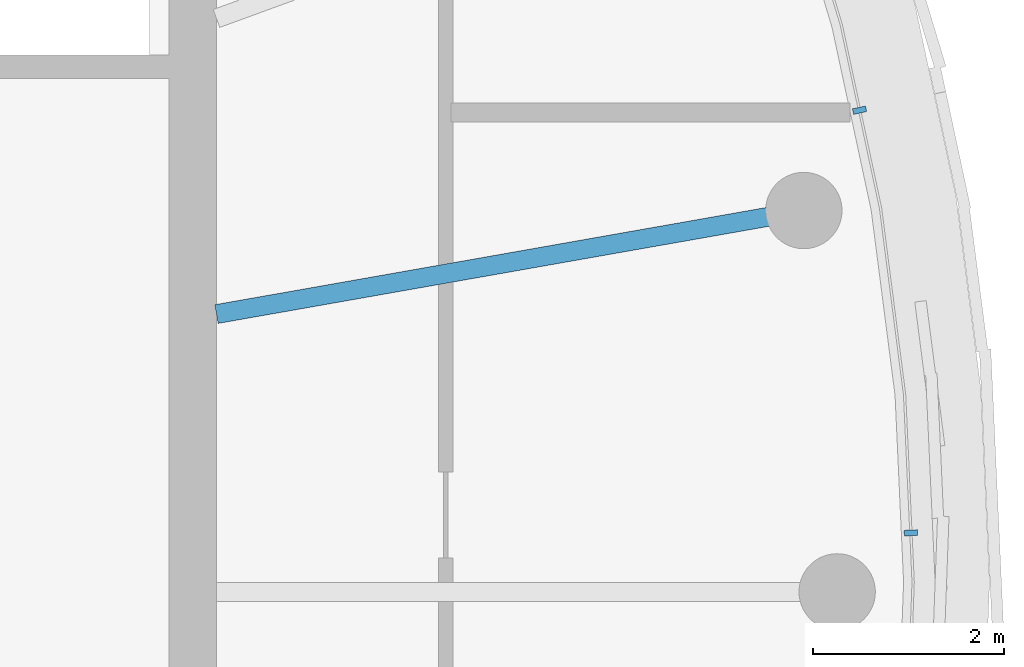
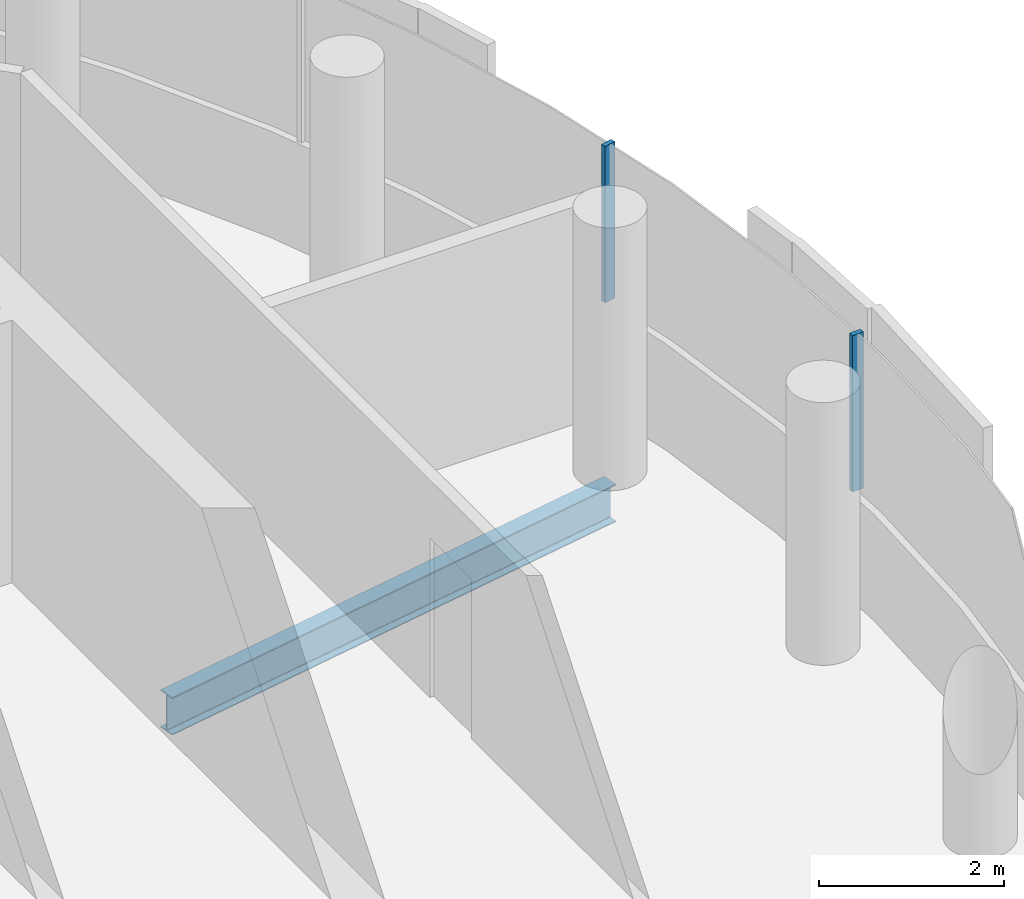
# One storey, part 8 of 21: 2 members, 1 beam, 1 element without a shape of its own.
"""IFC4 building model written with IfcOpenShell, lengths in metres."""

from ifc_helpers import new_model, si_unit, direction, frame, origin, origin_2d, place, context, subcontext, project, spatial, rectangle, i_section, extrude, material, layer, layer_set, material_profile, profile_set, type_object, element, aggregate, save


model = new_model("IFC4")

# Units and contexts
model_context = context("Model", 3, precision=1e-05, world=origin(), true_north=direction((0.0, 1.0)))
body_context = subcontext(model_context, "Body", "Model", "MODEL_VIEW")
ifc_project = project(units=[si_unit("LENGTHUNIT", "METRE"), si_unit("AREAUNIT", "SQUARE_METRE"), si_unit("VOLUMEUNIT", "CUBIC_METRE"), si_unit("PLANEANGLEUNIT", "RADIAN"), si_unit("MASSUNIT", "GRAM", prefix="KILO")], contexts=[model_context])

# Site, building, storey
site_placement = place(None, origin())
site = spatial("IfcSite", under=ifc_project, at=site_placement, CompositionType="ELEMENT")
building_placement = place(site_placement, origin())
building = spatial("IfcBuilding", under=site, at=building_placement, Name="Tamarind Cross Interchange Tower", CompositionType="ELEMENT")
storey_placement = place(building_placement, frame((0.0, 0.0, 260.39990234375)))
storey = spatial("IfcBuildingStorey", under=building, at=storey_placement, Name="L66", CompositionType="ELEMENT", Elevation=260.39990234375)

# Beam
ifc_material_1 = material(Name="Steel Q355B", Category="steel")
ifc_material_profile_1 = material_profile(ifc_material_1, i_section(OverallWidth=0.198974609375, OverallDepth=0.49609375, WebThickness=0.009033203125, FlangeThickness=0.013916015625, FilletRadius=0.012939453125, at=origin_2d()), Name="HN 496x199x9x14")
ifc_profile_set_1 = profile_set([ifc_material_profile_1], Name="Steel Q355B")
beam_type = type_object("IfcBeamType", Name="Composite beam HN 496x199x9x14 Q355B", PredefinedType="BEAM", material=ifc_profile_set_1)
beam_placement = place(storey_placement, frame((22.650634765625, 3.993896484375, -0.387939453125), z_axis=(-0.984809127561, -0.173640382036, 0.0), x_axis=(0.173640382036, -0.984809127561, 0.0)))
element("IfcBeam", 1, at=beam_placement, inside=storey, type_object=beam_type, Name="Beam HH01", PredefinedType="BEAM", context=body_context, shape_type="SweptSolid", body=[
    extrude(i_section(OverallWidth=0.198974609375, OverallDepth=0.49609375, WebThickness=0.009033203125, FlangeThickness=0.013916015625, FilletRadius=0.012939453125, at=origin_2d()), origin(), (0.0, 0.0, 1.0), 6.24560546875),
])

# Curtain wall, members
ifc_material_2 = material(Name="Aluminium 6063-T6", Category="aluminium")
ifc_layer = layer(ifc_material_2, 0.139892578125)
ifc_layer_set = layer_set([ifc_layer], Name="Aluminium 6063-T6")
curtain_wall_type = type_object("IfcCurtainWallType", Name="Hotel curtain wall, 4.5 m bays", PredefinedType="NOTDEFINED", material=ifc_layer_set)
curtain_wall_placement = place(storey_placement, origin())
curtain_wall = element("IfcCurtainWall", 2, at=curtain_wall_placement, inside=storey, type_object=curtain_wall_type, Name="CWS-L66-01", PredefinedType="NOTDEFINED")
ifc_material_profile_2 = material_profile(ifc_material_2, rectangle(XDim=0.06005859375, YDim=0.139892578125, at=origin_2d()), Name="Mullion CW2")
ifc_profile_set_2 = profile_set([ifc_material_profile_2], Name="Aluminium 6063-T6")
member_type = type_object("IfcMemberType", Name="Mullion CW2", PredefinedType="MULLION", material=ifc_profile_set_2)
member_1_placement = place(storey_placement, frame((23.77197265625, 0.6181640625, 1.400146484375), z_axis=(0.0, 0.0, 1.0), x_axis=(-0.045624486728, 0.998958660912, 0.0)))
member_1 = element("IfcMember", 3, at=member_1_placement, type_object=member_type, Name="CWM-L66-01-23", PredefinedType="MULLION", context=body_context, shape_type="SweptSolid", body=[
    extrude(rectangle(XDim=0.06005859375, YDim=0.139892578125, at=origin_2d()), origin(), (0.0, 0.0, 1.0), 2.06005859375),
])
member_2_placement = place(storey_placement, frame((23.234375, 5.04443359375, 1.400146484375), z_axis=(0.0, 0.0, 1.0), x_axis=(-0.209425419705, 0.977824623121, 0.0)))
member_2 = element("IfcMember", 4, at=member_2_placement, type_object=member_type, Name="CWM-L66-01-24", PredefinedType="MULLION", context=body_context, shape_type="SweptSolid", body=[
    extrude(rectangle(XDim=0.06005859375, YDim=0.139892578125, at=origin_2d()), origin(), (0.0, 0.0, 1.0), 2.06005859375),
])
aggregate(curtain_wall, [member_1, member_2])

save(model, "model.ifc")
